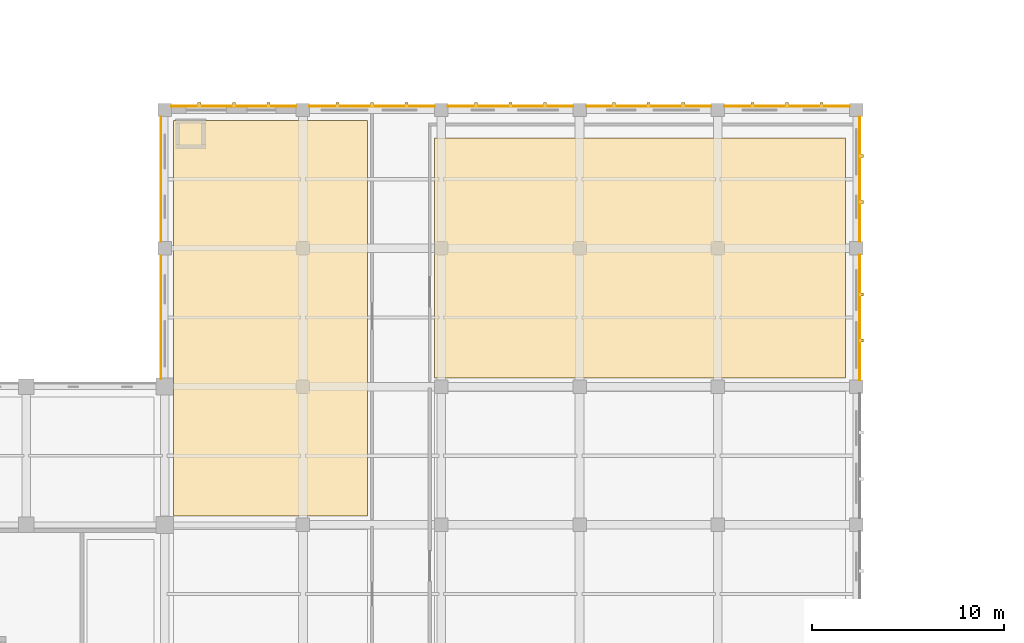
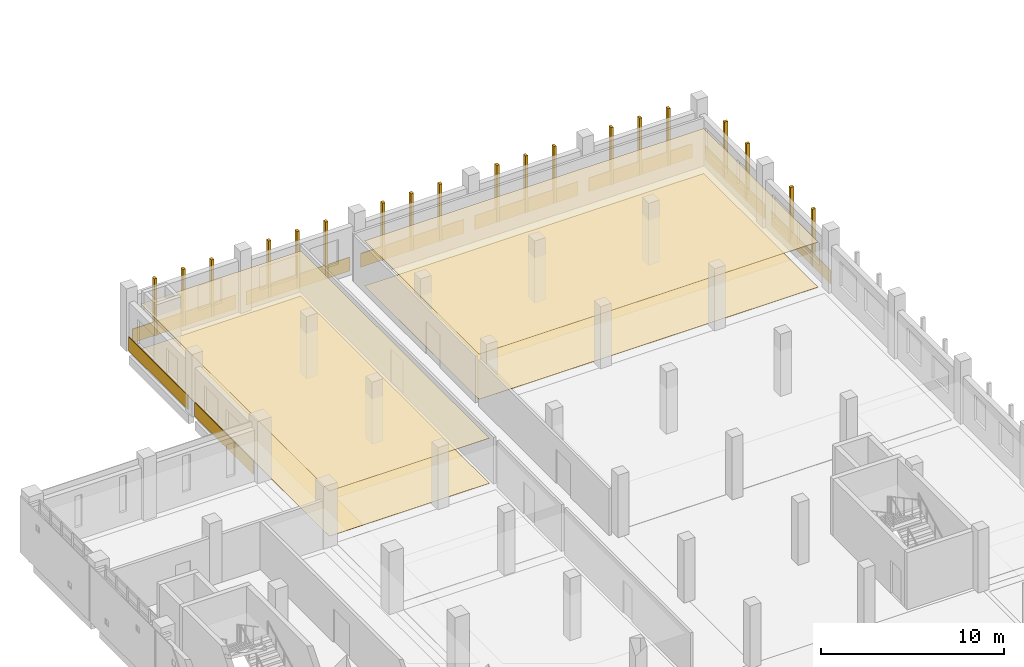
# One storey, part 54 of 57: 19 shading devices, 13 coverings.
"""IFC4 building model written with IfcOpenShell, lengths in metres."""

from ifc_helpers import new_model, si_unit, direction, frame, origin, origin_2d, place, context, subcontext, project, spatial, polyline, rectangle, outline, extrude, material, layer, layer_set, type_object, element, save


model = new_model("IFC4")

# Units and contexts
model_context = context("Model", 3, precision=1e-05, world=origin(), true_north=direction((0.0, 1.0)))
body_context = subcontext(model_context, "Body", "Model", "MODEL_VIEW")
ifc_project = project(units=[si_unit("LENGTHUNIT", "METRE"), si_unit("AREAUNIT", "SQUARE_METRE"), si_unit("VOLUMEUNIT", "CUBIC_METRE"), si_unit("PLANEANGLEUNIT", "RADIAN"), si_unit("MASSUNIT", "GRAM", prefix="KILO")], contexts=[model_context])

# Site, building, storey
site_placement = place(None, origin())
site = spatial("IfcSite", under=ifc_project, at=site_placement, CompositionType="ELEMENT")
building_placement = place(site_placement, origin())
building = spatial("IfcBuilding", under=site, at=building_placement, Name="Valkovuoma Quantum and Materials Research Institute", CompositionType="ELEMENT")
storey_placement = place(building_placement, frame((0.0, 0.0, 4.800048828125)))
storey = spatial("IfcBuildingStorey", under=building, at=storey_placement, Name="L01", CompositionType="ELEMENT", Elevation=4.800048828125)

# Coverings
ifc_material_1 = material(Name="Cleanable acoustic mineral-fibre suspended ceiling", Category="masonry")
ifc_layer_1 = layer(ifc_material_1, 0.02490234375)
ifc_layer_set_1 = layer_set([ifc_layer_1], Name="Cleanable acoustic mineral-fibre suspended ceiling")
covering_type_1 = type_object("IfcCoveringType", Name="Cov-CEIL-01", PredefinedType="CEILING", material=ifc_layer_set_1)
covering_1_placement = place(storey_placement, frame((0.0, 0.0, 3.0)))
element("IfcCovering", 1, at=covering_1_placement, inside=storey, type_object=covering_type_1, Name="L01 acoustic ceiling 0042", PredefinedType="CEILING", context=body_context, shape_type="SweptSolid", body=[
    extrude(outline(polyline([(14.85009765625, 86.85009765625), (24.949951171875, 86.85009765625), (24.949951171875, 107.449951171875), (14.85009765625, 107.449951171875), (14.85009765625, 86.85009765625)])), origin(), (0.0, 0.0, 1.0), 0.02490234375),
])
covering_2_placement = place(storey_placement, frame((0.0, 0.0, 3.0)))
element("IfcCovering", 2, at=covering_2_placement, inside=storey, type_object=covering_type_1, Name="L01 acoustic ceiling 0044", PredefinedType="CEILING", context=body_context, shape_type="SweptSolid", body=[
    extrude(outline(polyline([(28.449951171875, 94.050048828125), (49.85009765625, 94.050048828125), (49.85009765625, 106.550048828125), (28.449951171875, 106.550048828125), (28.449951171875, 94.050048828125)])), origin(), (0.0, 0.0, 1.0), 0.02490234375),
])
ifc_material_2 = material(Name="Seamless dissipative laboratory resin flooring", Category="masonry")
ifc_layer_2 = layer(ifc_material_2, 0.014892578125)
ifc_layer_set_2 = layer_set([ifc_layer_2], Name="Seamless dissipative laboratory resin flooring")
covering_type_2 = type_object("IfcCoveringType", Name="Cov-FLOR-01", PredefinedType="FLOORING", material=ifc_layer_set_2)
covering_3_placement = place(storey_placement, origin())
element("IfcCovering", 3, at=covering_3_placement, inside=storey, type_object=covering_type_2, Name="L01 resin flooring 0042", PredefinedType="FLOORING", context=body_context, shape_type="SweptSolid", body=[
    extrude(outline(polyline([(14.85009765625, 86.85009765625), (24.949951171875, 86.85009765625), (24.949951171875, 107.449951171875), (14.85009765625, 107.449951171875), (14.85009765625, 86.85009765625)])), origin(), (0.0, 0.0, 1.0), 0.014892578125),
])
covering_4_placement = place(storey_placement, origin())
element("IfcCovering", 4, at=covering_4_placement, inside=storey, type_object=covering_type_2, Name="L01 resin flooring 0044", PredefinedType="FLOORING", context=body_context, shape_type="SweptSolid", body=[
    extrude(outline(polyline([(28.449951171875, 94.050048828125), (49.85009765625, 94.050048828125), (49.85009765625, 106.550048828125), (28.449951171875, 106.550048828125), (28.449951171875, 94.050048828125)])), origin(), (0.0, 0.0, 1.0), 0.014892578125),
])
ifc_material_3 = material(Name="Thermally modified Nordic pine timber rainscreen cladding", Category="wood")
ifc_layer_3 = layer(ifc_material_3, 0.044921875)
ifc_layer_set_3 = layer_set([ifc_layer_3], Name="Thermally modified Nordic pine timber rainscreen cladding")
covering_type_3 = type_object("IfcCoveringType", Name="Cov-TIMB-01", PredefinedType="CLADDING", material=ifc_layer_set_3)
for number, where, z_axis, x_axis, name in (
    (5, (18.0, 108.18994140625, 0.02001953125), (0.0, 0.0, 1.0), (1.0, 0.0, 0.0), "L01 Nordic pine spandrel N-012"),
    (6, (25.199951171875, 108.18994140625, 0.02001953125), (0.0, 0.0, 1.0), (1.0, 0.0, 0.0), "L01 Nordic pine spandrel N-013"),
    (7, (32.39990234375, 108.18994140625, 0.02001953125), (0.0, 0.0, 1.0), (1.0, 0.0, 0.0), "L01 Nordic pine spandrel N-014"),
    (8, (39.60009765625, 108.18994140625, 0.02001953125), (0.0, 0.0, 1.0), (1.0, 0.0, 0.0), "L01 Nordic pine spandrel N-015"),
    (9, (46.800048828125, 108.18994140625, 0.02001953125), (0.0, 0.0, 1.0), (1.0, 0.0, 0.0), "L01 Nordic pine spandrel N-016"),
):
    element("IfcCovering", number, at=place(storey_placement, frame(where, z_axis=z_axis, x_axis=x_axis)), inside=storey, type_object=covering_type_3, Name=name, PredefinedType="CLADDING", context=body_context, shape_type="SweptSolid", body=[
        extrude(rectangle(XDim=6.52001953125, YDim=0.044921875, at=origin_2d()), origin(), (0.0, 0.0, 1.0), 0.919921875),
    ])
for number, where, z_axis, x_axis, name in (
    (10, (50.590087890625, 97.199951171875, 0.02001953125), (0.0, 0.0, 1.0), (1.0, 0.0, 0.0), "L01 Nordic pine spandrel E-021"),
    (11, (50.590087890625, 104.39990234375, 0.02001953125), (0.0, 0.0, 1.0), (1.0, 0.0, 0.0), "L01 Nordic pine spandrel E-022"),
):
    element("IfcCovering", number, at=place(storey_placement, frame(where, z_axis=z_axis, x_axis=x_axis)), inside=storey, type_object=covering_type_3, Name=name, PredefinedType="CLADDING", context=body_context, shape_type="SweptSolid", body=[
        extrude(rectangle(XDim=0.044921875, YDim=6.52001953125, at=origin_2d()), origin(), (0.0, 0.0, 1.0), 0.919921875),
    ])
covering_5_placement = place(storey_placement, frame((14.2099609375, 97.199951171875, 0.02001953125), z_axis=(0.0, 0.0, 1.0), x_axis=(1.0, 0.0, 0.0)))
element("IfcCovering", 12, at=covering_5_placement, inside=storey, type_object=covering_type_3, Name="L01 Nordic pine spandrel W-023", PredefinedType="CLADDING", context=body_context, shape_type="SweptSolid", body=[
    extrude(rectangle(XDim=0.044921875, YDim=6.419921875, at=origin_2d()), origin(), (0.0, 0.0, 1.0), 0.919921875),
])
covering_6_placement = place(storey_placement, frame((14.2099609375, 104.39990234375, 0.02001953125), z_axis=(0.0, 0.0, 1.0), x_axis=(1.0, 0.0, 0.0)))
element("IfcCovering", 13, at=covering_6_placement, inside=storey, type_object=covering_type_3, Name="L01 Nordic pine spandrel W-024", PredefinedType="CLADDING", context=body_context, shape_type="SweptSolid", body=[
    extrude(rectangle(XDim=0.044921875, YDim=6.52001953125, at=origin_2d()), origin(), (0.0, 0.0, 1.0), 0.919921875),
])

# Shading devices
ifc_material_4 = material(Name="Powder-coated white perforated architectural aluminium panel", Category="aluminium")
ifc_layer_4 = layer(ifc_material_4, 0.050048828125)
ifc_layer_set_4 = layer_set([ifc_layer_4], Name="Powder-coated white perforated architectural aluminium panel")
shading_device_type = type_object("IfcShadingDeviceType", Name="Screen-SCR-MID", PredefinedType="JALOUSIE", material=ifc_layer_set_4)
for number, where, z_axis, x_axis, name in (
    (14, (16.199951171875, 108.27001953125, 0.0), (0.0, 0.0, 1.0), (1.0, 0.0, 0.0), "L01 cleanroom facade vertical fin N-0026"),
    (15, (18.0, 108.27001953125, 0.0), (0.0, 0.0, 1.0), (1.0, 0.0, 0.0), "L01 cleanroom facade vertical fin N-0027"),
    (16, (19.800048828125, 108.27001953125, 0.0), (0.0, 0.0, 1.0), (1.0, 0.0, 0.0), "L01 cleanroom facade vertical fin N-0028"),
    (17, (23.39990234375, 108.27001953125, 0.0), (0.0, 0.0, 1.0), (1.0, 0.0, 0.0), "L01 cleanroom facade vertical fin N-0029"),
    (18, (25.199951171875, 108.27001953125, 0.0), (0.0, 0.0, 1.0), (1.0, 0.0, 0.0), "L01 cleanroom facade vertical fin N-0030"),
    (19, (27.0, 108.27001953125, 0.0), (0.0, 0.0, 1.0), (1.0, 0.0, 0.0), "L01 cleanroom facade vertical fin N-0031"),
    (20, (30.60009765625, 108.27001953125, 0.0), (0.0, 0.0, 1.0), (1.0, 0.0, 0.0), "L01 cleanroom facade vertical fin N-0032"),
    (21, (32.39990234375, 108.27001953125, 0.0), (0.0, 0.0, 1.0), (1.0, 0.0, 0.0), "L01 cleanroom facade vertical fin N-0033"),
    (22, (34.199951171875, 108.27001953125, 0.0), (0.0, 0.0, 1.0), (1.0, 0.0, 0.0), "L01 cleanroom facade vertical fin N-0034"),
    (23, (37.800048828125, 108.27001953125, 0.0), (0.0, 0.0, 1.0), (1.0, 0.0, 0.0), "L01 cleanroom facade vertical fin N-0035"),
    (24, (39.60009765625, 108.27001953125, 0.0), (0.0, 0.0, 1.0), (1.0, 0.0, 0.0), "L01 cleanroom facade vertical fin N-0036"),
    (25, (41.39990234375, 108.27001953125, 0.0), (0.0, 0.0, 1.0), (1.0, 0.0, 0.0), "L01 cleanroom facade vertical fin N-0037"),
    (26, (45.0, 108.27001953125, 0.0), (0.0, 0.0, 1.0), (1.0, 0.0, 0.0), "L01 cleanroom facade vertical fin N-0038"),
    (27, (46.800048828125, 108.27001953125, 0.0), (0.0, 0.0, 1.0), (1.0, 0.0, 0.0), "L01 cleanroom facade vertical fin N-0039"),
    (28, (48.60009765625, 108.27001953125, 0.0), (0.0, 0.0, 1.0), (1.0, 0.0, 0.0), "L01 cleanroom facade vertical fin N-0040"),
):
    element("IfcShadingDevice", number, at=place(storey_placement, frame(where, z_axis=z_axis, x_axis=x_axis)), inside=storey, type_object=shading_device_type, Name=name, PredefinedType="JALOUSIE", context=body_context, shape_type="SweptSolid", body=[
        extrude(rectangle(XDim=0.159912109375, YDim=0.219970703125, at=origin_2d()), origin(), (0.0, 0.0, 1.0), 3.81005859375),
    ])
for number, where, z_axis, x_axis, name in (
    (29, (50.669921875, 96.0, 0.0), (0.0, 0.0, 1.0), (1.0, 0.0, 0.0), "L01 cleanroom facade vertical fin E-0049"),
    (30, (50.669921875, 98.39990234375, 0.0), (0.0, 0.0, 1.0), (1.0, 0.0, 0.0), "L01 cleanroom facade vertical fin E-0050"),
    (31, (50.669921875, 103.199951171875, 0.0), (0.0, 0.0, 1.0), (1.0, 0.0, 0.0), "L01 cleanroom facade vertical fin E-0051"),
    (32, (50.669921875, 105.60009765625, 0.0), (0.0, 0.0, 1.0), (1.0, 0.0, 0.0), "L01 cleanroom facade vertical fin E-0052"),
):
    element("IfcShadingDevice", number, at=place(storey_placement, frame(where, z_axis=z_axis, x_axis=x_axis)), inside=storey, type_object=shading_device_type, Name=name, PredefinedType="JALOUSIE", context=body_context, shape_type="SweptSolid", body=[
        extrude(rectangle(XDim=0.219970703125, YDim=0.159912109375, at=origin_2d()), origin(), (0.0, 0.0, 1.0), 3.81005859375),
    ])

save(model, "model.ifc")
